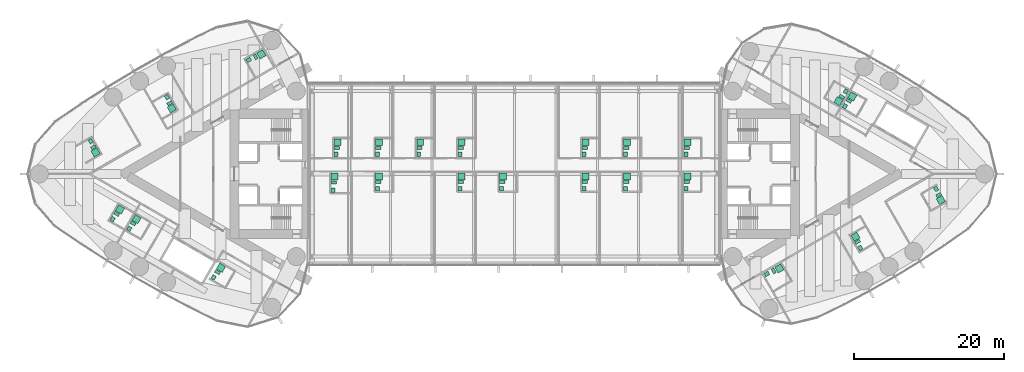
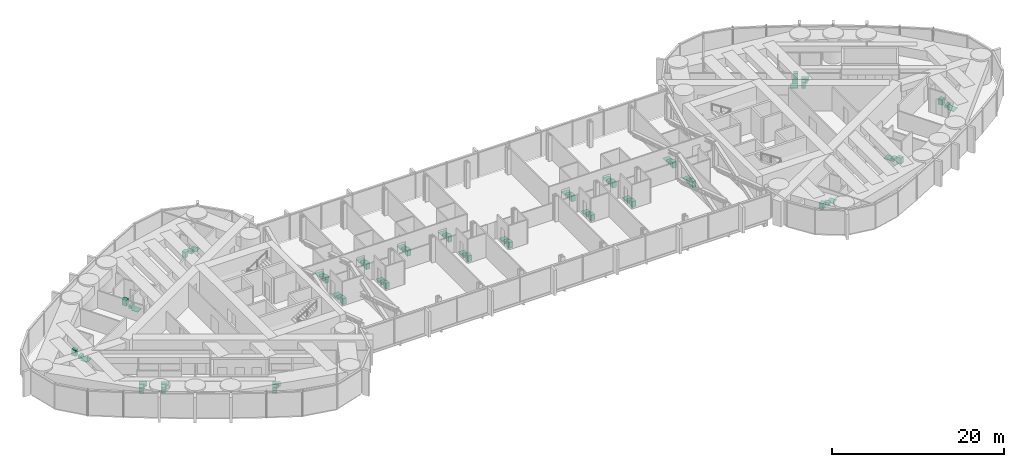
# One storey, part 22 of 22: 31 sanitary terminals.
"""IFC4 building model written with IfcOpenShell, lengths in metres."""

from ifc_helpers import new_model, si_unit, direction, frame, origin, origin_2d, place, context, subcontext, project, spatial, rectangle, extrude, material, type_object, element, save


model = new_model("IFC4")

# Units and contexts
model_context = context("Model", 3, precision=1e-05, world=origin(), true_north=direction((0.0, 1.0)))
body_context = subcontext(model_context, "Body", "Model", "MODEL_VIEW")
ifc_project = project(units=[si_unit("LENGTHUNIT", "METRE"), si_unit("AREAUNIT", "SQUARE_METRE"), si_unit("VOLUMEUNIT", "CUBIC_METRE"), si_unit("PLANEANGLEUNIT", "RADIAN"), si_unit("MASSUNIT", "GRAM", prefix="KILO")], contexts=[model_context])

# Site, building, storey
site_placement = place(None, origin())
site = spatial("IfcSite", under=ifc_project, at=site_placement, CompositionType="ELEMENT")
building_placement = place(site_placement, origin())
building = spatial("IfcBuilding", under=site, at=building_placement, Name="Lancet Gate Hotel", CompositionType="ELEMENT")
storey_placement = place(building_placement, frame((0.0, 0.0, 233.300048828125)))
storey = spatial("IfcBuildingStorey", under=building, at=storey_placement, Name="L62", CompositionType="ELEMENT", Elevation=233.300048828125)

# Sanitary terminals
ifc_material_1 = material(Name="Vitreous china sanitary ware")
sanitary_terminal_type_1 = type_object("IfcSanitaryTerminalType", Name="En-suite sanitary set (shower, WC, basin)", PredefinedType="USERDEFINED", material=ifc_material_1)
sanitary_terminal_1_placement = place(storey_placement, frame((-45.60888671875, 8.717529296875, 0.0), z_axis=(0.0, 0.0, 1.0), x_axis=(1.0, 0.0, 0.0)))
element("IfcSanitaryTerminal", 1, at=sanitary_terminal_1_placement, inside=storey, type_object=sanitary_terminal_type_1, Name="En-suite sanitary set (shower, WC, basin) 6203", ObjectType="EN-SUITE SANITARY SET", PredefinedType="USERDEFINED", context=body_context, shape_type="SweptSolid", body=[
    extrude(rectangle(XDim=0.89990234375, YDim=0.89990234375, at=origin_2d()), frame((0.0, 0.0, 0.0), z_axis=(0.0, 0.0, 1.0), x_axis=(0.5, -0.866025403784, 0.0)), (0.0, 0.0, 1.0), 0.050048828125),
    extrude(rectangle(XDim=0.39990234375, YDim=0.699951171875, at=origin_2d()), frame((-0.2783203125, 0.682373046875, 0.0), z_axis=(0.0, 0.0, 1.0), x_axis=(0.5, -0.866025403784, 0.0)), (0.0, 0.0, 1.0), 0.39990234375),
    extrude(rectangle(XDim=0.60009765625, YDim=0.5, at=origin_2d()), frame((-0.6318359375, 1.494384765625, 0.0), z_axis=(0.0, 0.0, 1.0), x_axis=(0.5, -0.866025403784, 0.0)), (0.0, 0.0, 1.0), 0.85009765625),
])
sanitary_terminal_2_placement = place(storey_placement, frame((-55.758544921875, 2.857666015625, 0.0), z_axis=(0.0, 0.0, 1.0), x_axis=(1.0, 0.0, 0.0)))
element("IfcSanitaryTerminal", 2, at=sanitary_terminal_2_placement, inside=storey, type_object=sanitary_terminal_type_1, Name="En-suite sanitary set (shower, WC, basin) 6205", ObjectType="EN-SUITE SANITARY SET", PredefinedType="USERDEFINED", context=body_context, shape_type="SweptSolid", body=[
    extrude(rectangle(XDim=0.89990234375, YDim=0.89990234375, at=origin_2d()), frame((0.0, 0.0, 0.0), z_axis=(0.0, 0.0, 1.0), x_axis=(0.5, -0.866025403784, 0.0)), (0.0, 0.0, 1.0), 0.050048828125),
    extrude(rectangle(XDim=0.39990234375, YDim=0.699951171875, at=origin_2d()), frame((-0.278564453125, 0.68212890625, 0.0), z_axis=(0.0, 0.0, 1.0), x_axis=(0.5, -0.866025403784, 0.0)), (0.0, 0.0, 1.0), 0.39990234375),
    extrude(rectangle(XDim=0.60009765625, YDim=0.5, at=origin_2d()), frame((-0.6318359375, 1.494384765625, 0.0), z_axis=(0.0, 0.0, 1.0), x_axis=(0.5, -0.866025403784, 0.0)), (0.0, 0.0, 1.0), 0.85009765625),
])
sanitary_terminal_3_placement = place(storey_placement, frame((-52.501220703125, -4.73828125, 0.0), z_axis=(0.0, 0.0, 1.0), x_axis=(1.0, 0.0, 0.0)))
element("IfcSanitaryTerminal", 3, at=sanitary_terminal_3_placement, inside=storey, type_object=sanitary_terminal_type_1, Name="En-suite sanitary set (shower, WC, basin) 6206", ObjectType="EN-SUITE SANITARY SET", PredefinedType="USERDEFINED", context=body_context, shape_type="SweptSolid", body=[
    extrude(rectangle(XDim=0.89990234375, YDim=0.89990234375, at=origin_2d()), frame((0.0, 0.0, 0.0), z_axis=(0.0, 0.0, 1.0), x_axis=(0.5, 0.866025403784, 0.0)), (0.0, 0.0, 1.0), 0.050048828125),
    extrude(rectangle(XDim=0.39990234375, YDim=0.699951171875, at=origin_2d()), frame((-0.451416015625, -0.582275390625, 0.0), z_axis=(0.0, 0.0, 1.0), x_axis=(0.5, 0.866025403784, 0.0)), (0.0, 0.0, 1.0), 0.39990234375),
    extrude(rectangle(XDim=0.60009765625, YDim=0.5, at=origin_2d()), frame((-0.97802734375, -1.29443359375, 0.0), z_axis=(0.0, 0.0, 1.0), x_axis=(0.5, 0.866025403784, 0.0)), (0.0, 0.0, 1.0), 0.85009765625),
])
for number, where, z_axis, x_axis, name in (
    (4, (-50.292724609375, -6.013427734375, 0.0), (0.0, 0.0, 1.0), (1.0, 0.0, 0.0), "En-suite sanitary set (shower, WC, basin) 6207"),
    (5, (-39.07275390625, -12.4912109375, 0.0), (0.0, 0.0, 1.0), (1.0, 0.0, 0.0), "En-suite sanitary set (shower, WC, basin) 6209"),
):
    element("IfcSanitaryTerminal", number, at=place(storey_placement, frame(where, z_axis=z_axis, x_axis=x_axis)), inside=storey, type_object=sanitary_terminal_type_1, Name=name, ObjectType="EN-SUITE SANITARY SET", PredefinedType="USERDEFINED", context=body_context, shape_type="SweptSolid", body=[
        extrude(rectangle(XDim=0.89990234375, YDim=0.89990234375, at=origin_2d()), frame((0.0, 0.0, 0.0), z_axis=(0.0, 0.0, 1.0), x_axis=(0.5, 0.866025403784, 0.0)), (0.0, 0.0, 1.0), 0.050048828125),
        extrude(rectangle(XDim=0.39990234375, YDim=0.699951171875, at=origin_2d()), frame((-0.45166015625, -0.582275390625, 0.0), z_axis=(0.0, 0.0, 1.0), x_axis=(0.5, 0.866025403784, 0.0)), (0.0, 0.0, 1.0), 0.39990234375),
        extrude(rectangle(XDim=0.60009765625, YDim=0.5, at=origin_2d()), frame((-0.978271484375, -1.294189453125, 0.0), z_axis=(0.0, 0.0, 1.0), x_axis=(0.5, 0.866025403784, 0.0)), (0.0, 0.0, 1.0), 0.85009765625),
    ])
sanitary_terminal_4_placement = place(storey_placement, frame((45.358154296875, -8.3623046875, 0.0), z_axis=(0.0, 0.0, 1.0), x_axis=(1.0, 0.0, 0.0)))
element("IfcSanitaryTerminal", 6, at=sanitary_terminal_4_placement, inside=storey, type_object=sanitary_terminal_type_1, Name="En-suite sanitary set (shower, WC, basin) 6253", ObjectType="EN-SUITE SANITARY SET", PredefinedType="USERDEFINED", context=body_context, shape_type="SweptSolid", body=[
    extrude(rectangle(XDim=0.89990234375, YDim=0.89990234375, at=origin_2d()), frame((0.0, 0.0, 0.0), z_axis=(0.0, 0.0, 1.0), x_axis=(-0.5, 0.866025403784, 0.0)), (0.0, 0.0, 1.0), 0.050048828125),
    extrude(rectangle(XDim=0.39990234375, YDim=0.699951171875, at=origin_2d()), frame((0.2783203125, -0.682373046875, 0.0), z_axis=(0.0, 0.0, 1.0), x_axis=(-0.5, 0.866025403784, 0.0)), (0.0, 0.0, 1.0), 0.39990234375),
    extrude(rectangle(XDim=0.60009765625, YDim=0.5, at=origin_2d()), frame((0.6318359375, -1.494384765625, 0.0), z_axis=(0.0, 0.0, 1.0), x_axis=(-0.5, 0.866025403784, 0.0)), (0.0, 0.0, 1.0), 0.85009765625),
])
sanitary_terminal_5_placement = place(storey_placement, frame((56.7138671875, -3.4921875, 0.0), z_axis=(0.0, 0.0, 1.0), x_axis=(1.0, 0.0, 0.0)))
element("IfcSanitaryTerminal", 7, at=sanitary_terminal_5_placement, inside=storey, type_object=sanitary_terminal_type_1, Name="En-suite sanitary set (shower, WC, basin) 6255", ObjectType="EN-SUITE SANITARY SET", PredefinedType="USERDEFINED", context=body_context, shape_type="SweptSolid", body=[
    extrude(rectangle(XDim=0.89990234375, YDim=0.89990234375, at=origin_2d()), frame((0.0, 0.0, 0.0), z_axis=(0.0, 0.0, 1.0), x_axis=(0.5, -0.866025403784, 0.0)), (0.0, 0.0, 1.0), 0.050048828125),
    extrude(rectangle(XDim=0.39990234375, YDim=0.699951171875, at=origin_2d()), frame((-0.278564453125, 0.682373046875, 0.0), z_axis=(0.0, 0.0, 1.0), x_axis=(0.5, -0.866025403784, 0.0)), (0.0, 0.0, 1.0), 0.39990234375),
    extrude(rectangle(XDim=0.60009765625, YDim=0.5, at=origin_2d()), frame((-0.6318359375, 1.494384765625, 0.0), z_axis=(0.0, 0.0, 1.0), x_axis=(0.5, -0.866025403784, 0.0)), (0.0, 0.0, 1.0), 0.85009765625),
])
sanitary_terminal_6_placement = place(storey_placement, frame((44.93310546875, 10.293701171875, 0.0), z_axis=(0.0, 0.0, 1.0), x_axis=(1.0, 0.0, 0.0)))
element("IfcSanitaryTerminal", 8, at=sanitary_terminal_6_placement, inside=storey, type_object=sanitary_terminal_type_1, Name="En-suite sanitary set (shower, WC, basin) 6258", ObjectType="EN-SUITE SANITARY SET", PredefinedType="USERDEFINED", context=body_context, shape_type="SweptSolid", body=[
    extrude(rectangle(XDim=0.89990234375, YDim=0.89990234375, at=origin_2d()), frame((0.0, 0.0, 0.0), z_axis=(0.0, 0.0, 1.0), x_axis=(0.5, 0.866025403784, 0.0)), (0.0, 0.0, 1.0), 0.050048828125),
    extrude(rectangle(XDim=0.39990234375, YDim=0.699951171875, at=origin_2d()), frame((-0.451416015625, -0.582275390625, 0.0), z_axis=(0.0, 0.0, 1.0), x_axis=(0.5, 0.866025403784, 0.0)), (0.0, 0.0, 1.0), 0.39990234375),
    extrude(rectangle(XDim=0.60009765625, YDim=0.5, at=origin_2d()), frame((-0.97802734375, -1.29443359375, 0.0), z_axis=(0.0, 0.0, 1.0), x_axis=(0.5, 0.866025403784, 0.0)), (0.0, 0.0, 1.0), 0.85009765625),
])
sanitary_terminal_7_placement = place(storey_placement, frame((43.0859375, 9.67431640625, 0.0), z_axis=(0.0, 0.0, 1.0), x_axis=(1.0, 0.0, 0.0)))
element("IfcSanitaryTerminal", 9, at=sanitary_terminal_7_placement, inside=storey, type_object=sanitary_terminal_type_1, Name="En-suite sanitary set (shower, WC, basin) 6259", ObjectType="EN-SUITE SANITARY SET", PredefinedType="USERDEFINED", context=body_context, shape_type="SweptSolid", body=[
    extrude(rectangle(XDim=0.89990234375, YDim=0.89990234375, at=origin_2d()), frame((0.0, 0.0, 0.0), z_axis=(0.0, 0.0, 1.0), x_axis=(-0.5, -0.866025403784, 0.0)), (0.0, 0.0, 1.0), 0.050048828125),
    extrude(rectangle(XDim=0.39990234375, YDim=0.699951171875, at=origin_2d()), frame((0.45166015625, 0.58203125, 0.0), z_axis=(0.0, 0.0, 1.0), x_axis=(-0.5, -0.866025403784, 0.0)), (0.0, 0.0, 1.0), 0.39990234375),
    extrude(rectangle(XDim=0.60009765625, YDim=0.5, at=origin_2d()), frame((0.978271484375, 1.294189453125, 0.0), z_axis=(0.0, 0.0, 1.0), x_axis=(-0.5, -0.866025403784, 0.0)), (0.0, 0.0, 1.0), 0.85009765625),
])
for number, where, z_axis, x_axis, name in (
    (10, (-18.054931640625, -0.344970703125, 0.0), (0.0, 0.0, 1.0), (1.0, 0.0, 0.0), "En-suite sanitary set (shower, WC, basin) B6202"),
    (11, (-7.054931640625, -0.344970703125, 0.0), (0.0, 0.0, 1.0), (1.0, 0.0, 0.0), "En-suite sanitary set (shower, WC, basin) B6204"),
    (12, (-1.554931640625, -0.344970703125, 0.0), (0.0, 0.0, 1.0), (1.0, 0.0, 0.0), "En-suite sanitary set (shower, WC, basin) B6205"),
    (13, (9.445068359375, -0.344970703125, 0.0), (0.0, 0.0, 1.0), (1.0, 0.0, 0.0), "En-suite sanitary set (shower, WC, basin) B6207"),
    (14, (14.945068359375, -0.344970703125, 0.0), (0.0, 0.0, 1.0), (1.0, 0.0, 0.0), "En-suite sanitary set (shower, WC, basin) B6208"),
):
    element("IfcSanitaryTerminal", number, at=place(storey_placement, frame(where, z_axis=z_axis, x_axis=x_axis)), inside=storey, type_object=sanitary_terminal_type_1, Name=name, ObjectType="EN-SUITE SANITARY SET", PredefinedType="USERDEFINED", context=body_context, shape_type="SweptSolid", body=[
        extrude(rectangle(XDim=0.89990234375, YDim=0.89990234375, at=origin_2d()), frame((0.0, 0.0, 0.0), z_axis=(0.0, 0.0, 1.0), x_axis=(0.0, 1.0, 0.0)), (0.0, 0.0, 1.0), 0.050048828125),
        extrude(rectangle(XDim=0.39990234375, YDim=0.699951171875, at=origin_2d()), frame((-0.10009765625, -0.72998046875, 0.0), z_axis=(0.0, 0.0, 1.0), x_axis=(0.0, 1.0, 0.0)), (0.0, 0.0, 1.0), 0.39990234375),
        extrude(rectangle(XDim=0.60009765625, YDim=0.5, at=origin_2d()), frame((-0.199951171875, -1.610107421875, 0.0), z_axis=(0.0, 0.0, 1.0), x_axis=(0.0, 1.0, 0.0)), (0.0, 0.0, 1.0), 0.85009765625),
    ])
sanitary_terminal_8_placement = place(storey_placement, frame((22.9951171875, -0.344970703125, 0.0), z_axis=(0.0, 0.0, 1.0), x_axis=(1.0, 0.0, 0.0)))
element("IfcSanitaryTerminal", 15, at=sanitary_terminal_8_placement, inside=storey, type_object=sanitary_terminal_type_1, Name="En-suite sanitary set (shower, WC, basin) B6210", ObjectType="EN-SUITE SANITARY SET", PredefinedType="USERDEFINED", context=body_context, shape_type="SweptSolid", body=[
    extrude(rectangle(XDim=0.89990234375, YDim=0.89990234375, at=origin_2d()), frame((0.0, 0.0, 0.0), z_axis=(0.0, 0.0, 1.0), x_axis=(0.0, 1.0, 0.0)), (0.0, 0.0, 1.0), 0.050048828125),
    extrude(rectangle(XDim=0.39990234375, YDim=0.699951171875, at=origin_2d()), frame((-0.10009765625, -0.72998046875, 0.0), z_axis=(0.0, 0.0, 1.0), x_axis=(0.0, 1.0, 0.0)), (0.0, 0.0, 1.0), 0.39990234375),
    extrude(rectangle(XDim=0.60009765625, YDim=0.5, at=origin_2d()), frame((-0.2001953125, -1.610107421875, 0.0), z_axis=(0.0, 0.0, 1.0), x_axis=(0.0, 1.0, 0.0)), (0.0, 0.0, 1.0), 0.85009765625),
])
for number, where, z_axis, x_axis, name in (
    (16, (-23.554931640625, 4.205078125, 0.0), (0.0, 0.0, 1.0), (1.0, 0.0, 0.0), "En-suite sanitary set (shower, WC, basin) B6211"),
    (17, (-18.054931640625, 4.205078125, 0.0), (0.0, 0.0, 1.0), (1.0, 0.0, 0.0), "En-suite sanitary set (shower, WC, basin) B6212"),
    (18, (-12.554931640625, 4.205078125, 0.0), (0.0, 0.0, 1.0), (1.0, 0.0, 0.0), "En-suite sanitary set (shower, WC, basin) B6213"),
    (19, (-7.054931640625, 4.205078125, 0.0), (0.0, 0.0, 1.0), (1.0, 0.0, 0.0), "En-suite sanitary set (shower, WC, basin) B6214"),
    (20, (9.445068359375, 4.205078125, 0.0), (0.0, 0.0, 1.0), (1.0, 0.0, 0.0), "En-suite sanitary set (shower, WC, basin) B6217"),
    (21, (14.945068359375, 4.205078125, 0.0), (0.0, 0.0, 1.0), (1.0, 0.0, 0.0), "En-suite sanitary set (shower, WC, basin) B6218"),
):
    element("IfcSanitaryTerminal", number, at=place(storey_placement, frame(where, z_axis=z_axis, x_axis=x_axis)), inside=storey, type_object=sanitary_terminal_type_1, Name=name, ObjectType="EN-SUITE SANITARY SET", PredefinedType="USERDEFINED", context=body_context, shape_type="SweptSolid", body=[
        extrude(rectangle(XDim=0.89990234375, YDim=0.89990234375, at=origin_2d()), frame((0.0, 0.0, 0.0), z_axis=(0.0, 0.0, 1.0), x_axis=(0.0, 1.0, 0.0)), (0.0, 0.0, 1.0), 0.050048828125),
        extrude(rectangle(XDim=0.39990234375, YDim=0.699951171875, at=origin_2d()), frame((-0.10009765625, -0.72998046875, 0.0), z_axis=(0.0, 0.0, 1.0), x_axis=(0.0, 1.0, 0.0)), (0.0, 0.0, 1.0), 0.39990234375),
        extrude(rectangle(XDim=0.60009765625, YDim=0.5, at=origin_2d()), frame((-0.199951171875, -1.610107421875, 0.0), z_axis=(0.0, 0.0, 1.0), x_axis=(0.0, 1.0, 0.0)), (0.0, 0.0, 1.0), 0.85009765625),
    ])
sanitary_terminal_9_placement = place(storey_placement, frame((22.9951171875, 4.205078125, 0.0), z_axis=(0.0, 0.0, 1.0), x_axis=(1.0, 0.0, 0.0)))
element("IfcSanitaryTerminal", 22, at=sanitary_terminal_9_placement, inside=storey, type_object=sanitary_terminal_type_1, Name="En-suite sanitary set (shower, WC, basin) B6220", ObjectType="EN-SUITE SANITARY SET", PredefinedType="USERDEFINED", context=body_context, shape_type="SweptSolid", body=[
    extrude(rectangle(XDim=0.89990234375, YDim=0.89990234375, at=origin_2d()), frame((0.0, 0.0, 0.0), z_axis=(0.0, 0.0, 1.0), x_axis=(0.0, 1.0, 0.0)), (0.0, 0.0, 1.0), 0.050048828125),
    extrude(rectangle(XDim=0.39990234375, YDim=0.699951171875, at=origin_2d()), frame((-0.10009765625, -0.72998046875, 0.0), z_axis=(0.0, 0.0, 1.0), x_axis=(0.0, 1.0, 0.0)), (0.0, 0.0, 1.0), 0.39990234375),
    extrude(rectangle(XDim=0.60009765625, YDim=0.5, at=origin_2d()), frame((-0.2001953125, -1.610107421875, 0.0), z_axis=(0.0, 0.0, 1.0), x_axis=(0.0, 1.0, 0.0)), (0.0, 0.0, 1.0), 0.85009765625),
])
ifc_material_2 = material(Name="Stone resin shower tray", Category="masonry")
sanitary_terminal_type_2 = type_object("IfcSanitaryTerminalType", Name="Shower tray 900", PredefinedType="SHOWER", material=ifc_material_2)
for number, where, z_axis, x_axis, name in (
    (23, (-33.6953125, 15.896240234375, 0.0), (0.0, 0.0, 1.0), (0.866025403784, 0.5, 0.0), "Shower tray 900 6202"),
    (24, (35.2412109375, -12.5869140625, 0.0), (0.0, 0.0, 1.0), (0.866025403784, 0.5, 0.0), "Shower tray 900 6252"),
    (25, (-23.955078125, -0.344970703125, 0.0), (0.0, 0.0, 1.0), (0.0, 1.0, 0.0), "Shower tray 900 B6201"),
):
    element("IfcSanitaryTerminal", number, at=place(storey_placement, frame(where, z_axis=z_axis, x_axis=x_axis)), inside=storey, type_object=sanitary_terminal_type_2, Name=name, PredefinedType="SHOWER", context=body_context, shape_type="SweptSolid", body=[
        extrude(rectangle(XDim=0.89990234375, YDim=0.89990234375, at=origin_2d()), origin(), (0.0, 0.0, 1.0), 0.050048828125),
    ])
ifc_material_3 = material(Name="Vitreous china sanitary ware")
sanitary_terminal_type_3 = type_object("IfcSanitaryTerminalType", Name="Vanity basin 600", PredefinedType="WASHHANDBASIN", material=ifc_material_3)
for number, where, z_axis, x_axis, name in (
    (26, (-35.36279296875, 15.164306640625, 0.0), (0.0, 0.0, 1.0), (0.866025403784, 0.5, 0.0), "Vanity basin 600 6202"),
    (27, (33.57373046875, -13.318603515625, 0.0), (0.0, 0.0, 1.0), (0.866025403784, 0.5, 0.0), "Vanity basin 600 6252"),
    (28, (-24.155029296875, -2.155029296875, 0.0), (0.0, 0.0, 1.0), (0.0, 1.0, 0.0), "Vanity basin 600 B6201"),
):
    element("IfcSanitaryTerminal", number, at=place(storey_placement, frame(where, z_axis=z_axis, x_axis=x_axis)), inside=storey, type_object=sanitary_terminal_type_3, Name=name, PredefinedType="WASHHANDBASIN", context=body_context, shape_type="SweptSolid", body=[
        extrude(rectangle(XDim=0.60009765625, YDim=0.5, at=origin_2d()), origin(), (0.0, 0.0, 1.0), 0.85009765625),
    ])
ifc_material_4 = material(Name="Vitreous china sanitary ware")
sanitary_terminal_type_4 = type_object("IfcSanitaryTerminalType", Name="WC pan wall hung", PredefinedType="TOILETPAN", material=ifc_material_4)
for number, where, z_axis, x_axis, name in (
    (29, (-34.464111328125, 15.56787109375, 0.0), (0.0, 0.0, 1.0), (0.866025403784, 0.5, 0.0), "WC pan wall hung 6202"),
    (30, (34.472412109375, -12.915283203125, 0.0), (0.0, 0.0, 1.0), (0.866025403784, 0.5, 0.0), "WC pan wall hung 6252"),
    (31, (-24.054931640625, -1.175048828125, 0.0), (0.0, 0.0, 1.0), (0.0, 1.0, 0.0), "WC pan wall hung B6201"),
):
    element("IfcSanitaryTerminal", number, at=place(storey_placement, frame(where, z_axis=z_axis, x_axis=x_axis)), inside=storey, type_object=sanitary_terminal_type_4, Name=name, PredefinedType="TOILETPAN", context=body_context, shape_type="SweptSolid", body=[
        extrude(rectangle(XDim=0.39990234375, YDim=0.699951171875, at=origin_2d()), origin(), (0.0, 0.0, 1.0), 0.39990234375),
    ])

save(model, "model.ifc")
